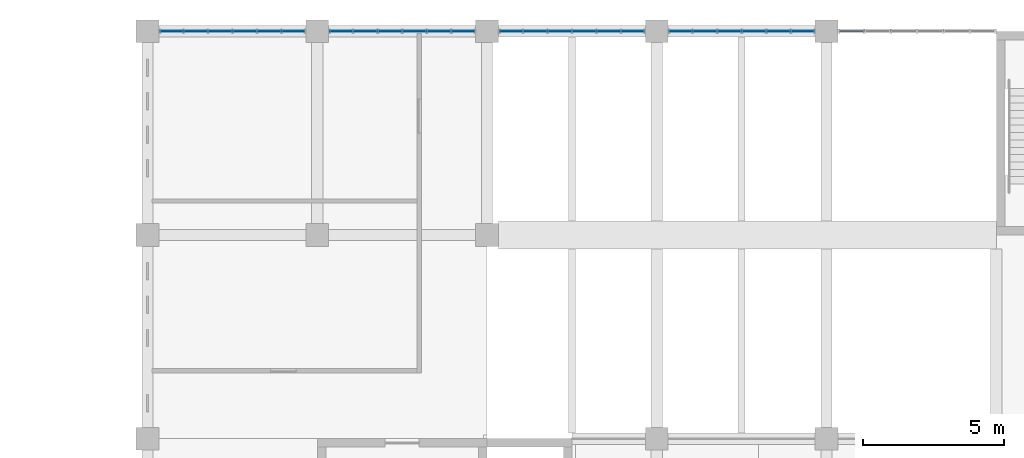
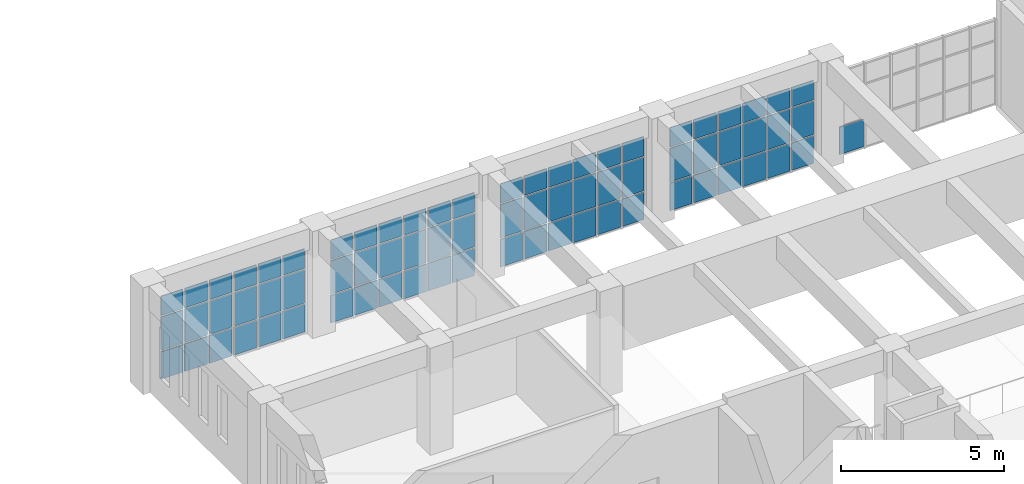
# One storey, part 28 of 47: 73 plates, 5 elements without a shape of their own.
"""IFC4 building model written with IfcOpenShell, lengths in metres."""

from ifc_helpers import new_model, si_unit, direction, frame, origin, origin_2d, place, context, subcontext, project, spatial, rectangle, extrude, material, layer, layer_set, type_object, element, aggregate, save


model = new_model("IFC4")

# Units and contexts
model_context = context("Model", 3, precision=1e-05, world=origin(), true_north=direction((0.0, 1.0)))
body_context = subcontext(model_context, "Body", "Model", "MODEL_VIEW")
ifc_project = project(units=[si_unit("LENGTHUNIT", "METRE"), si_unit("AREAUNIT", "SQUARE_METRE"), si_unit("VOLUMEUNIT", "CUBIC_METRE"), si_unit("PLANEANGLEUNIT", "RADIAN"), si_unit("MASSUNIT", "GRAM", prefix="KILO")], contexts=[model_context])

# Site, building, storey
site_placement = place(None, origin())
site = spatial("IfcSite", under=ifc_project, at=site_placement, CompositionType="ELEMENT")
building_placement = place(site_placement, origin())
building = spatial("IfcBuilding", under=site, at=building_placement, Name="Laocheng Heights Fire and Rescue Headquarters", CompositionType="ELEMENT")
storey_placement = place(building_placement, frame((0.0, 0.0, 16.800048828125)))
storey = spatial("IfcBuildingStorey", under=building, at=storey_placement, Name="L04", CompositionType="ELEMENT", Elevation=16.800048828125)

# Curtain wall, plates
ifc_material_1 = material(Name="Dark anodised aluminium unitised curtain wall, low-e double glazing", Category="aluminium")
curtain_wall_type_1 = type_object("IfcCurtainWallType", Name="CW 5200 x 3200 HQ CONTROL ROOM FACE", PredefinedType="NOTDEFINED", material=ifc_material_1)
curtain_wall_1_placement = place(storey_placement, origin())
curtain_wall_1 = element("IfcCurtainWall", 1, at=curtain_wall_1_placement, inside=storey, type_object=curtain_wall_type_1, Name="X24-X HQ NORTH L04", PredefinedType="NOTDEFINED")
ifc_material_2 = material(Name="Laminated safety glass, low-e double glazed unit", Category="glass")
ifc_layer_1 = layer(ifc_material_2, 0.0400390625)
ifc_layer_set_1 = layer_set([ifc_layer_1], Name="Laminated safety glass, low-e double glazed unit")
plate_type_1 = type_object("IfcPlateType", Name="CW LAMINATED SAFETY PANEL 40 X", PredefinedType="CURTAIN_PANEL", material=ifc_layer_set_1)
plate_1_placement = place(storey_placement, frame((36.848388671875, 72.0, 0.050048828125), z_axis=(0.0, 0.0, 1.0), x_axis=(1.0, 0.0, 0.0)))
plate_1 = element("IfcPlate", 2, at=plate_1_placement, type_object=plate_type_1, Name="X24-X panel 1.1", PredefinedType="CURTAIN_PANEL", context=body_context, shape_type="SweptSolid", body=[
    extrude(rectangle(XDim=0.776611328125, YDim=0.0400390625, at=origin_2d()), origin(), (0.0, 0.0, 1.0), 1.02490234375),
])
plate_2_placement = place(storey_placement, frame((37.699951171875, 72.0, 0.050048828125), z_axis=(0.0, 0.0, 1.0), x_axis=(1.0, 0.0, 0.0)))
plate_2 = element("IfcPlate", 3, at=plate_2_placement, type_object=plate_type_1, Name="X24-X panel 2.1", PredefinedType="CURTAIN_PANEL", context=body_context, shape_type="SweptSolid", body=[
    extrude(rectangle(XDim=0.806640625, YDim=0.0400390625, at=origin_2d()), origin(), (0.0, 0.0, 1.0), 1.02490234375),
])
plate_3_placement = place(storey_placement, frame((38.566650390625, 72.0, 0.050048828125), z_axis=(0.0, 0.0, 1.0), x_axis=(1.0, 0.0, 0.0)))
plate_3 = element("IfcPlate", 4, at=plate_3_placement, type_object=plate_type_1, Name="X24-X panel 3.1", PredefinedType="CURTAIN_PANEL", context=body_context, shape_type="SweptSolid", body=[
    extrude(rectangle(XDim=0.806640625, YDim=0.0400390625, at=origin_2d()), origin(), (0.0, 0.0, 1.0), 1.02490234375),
])
plate_4_placement = place(storey_placement, frame((39.433349609375, 72.0, 0.050048828125), z_axis=(0.0, 0.0, 1.0), x_axis=(1.0, 0.0, 0.0)))
plate_4 = element("IfcPlate", 5, at=plate_4_placement, type_object=plate_type_1, Name="X24-X panel 4.1", PredefinedType="CURTAIN_PANEL", context=body_context, shape_type="SweptSolid", body=[
    extrude(rectangle(XDim=0.806640625, YDim=0.0400390625, at=origin_2d()), origin(), (0.0, 0.0, 1.0), 1.02490234375),
])
plate_5_placement = place(storey_placement, frame((40.300048828125, 72.0, 0.050048828125), z_axis=(0.0, 0.0, 1.0), x_axis=(1.0, 0.0, 0.0)))
plate_5 = element("IfcPlate", 6, at=plate_5_placement, type_object=plate_type_1, Name="X24-X panel 5.1", PredefinedType="CURTAIN_PANEL", context=body_context, shape_type="SweptSolid", body=[
    extrude(rectangle(XDim=0.806640625, YDim=0.0400390625, at=origin_2d()), origin(), (0.0, 0.0, 1.0), 1.02490234375),
])
plate_6_placement = place(storey_placement, frame((41.151611328125, 72.0, 0.050048828125), z_axis=(0.0, 0.0, 1.0), x_axis=(1.0, 0.0, 0.0)))
plate_6 = element("IfcPlate", 7, at=plate_6_placement, type_object=plate_type_1, Name="X24-X panel 6.1", PredefinedType="CURTAIN_PANEL", context=body_context, shape_type="SweptSolid", body=[
    extrude(rectangle(XDim=0.776611328125, YDim=0.0400390625, at=origin_2d()), origin(), (0.0, 0.0, 1.0), 1.02490234375),
])

curtain_wall_2_placement = place(storey_placement, origin())
curtain_wall_2 = element("IfcCurtainWall", 8, at=curtain_wall_2_placement, inside=storey, type_object=curtain_wall_type_1, Name="X24-X HQ NORTH L04", PredefinedType="NOTDEFINED")
plate_7_placement = place(storey_placement, frame((42.848388671875, 72.0, 0.050048828125), z_axis=(0.0, 0.0, 1.0), x_axis=(1.0, 0.0, 0.0)))
plate_7 = element("IfcPlate", 9, at=plate_7_placement, type_object=plate_type_1, Name="X24-X panel 1.1", PredefinedType="CURTAIN_PANEL", context=body_context, shape_type="SweptSolid", body=[
    extrude(rectangle(XDim=0.776611328125, YDim=0.0400390625, at=origin_2d()), origin(), (0.0, 0.0, 1.0), 1.02490234375),
])
plate_8_placement = place(storey_placement, frame((43.699951171875, 72.0, 0.050048828125), z_axis=(0.0, 0.0, 1.0), x_axis=(1.0, 0.0, 0.0)))
plate_8 = element("IfcPlate", 10, at=plate_8_placement, type_object=plate_type_1, Name="X24-X panel 2.1", PredefinedType="CURTAIN_PANEL", context=body_context, shape_type="SweptSolid", body=[
    extrude(rectangle(XDim=0.806640625, YDim=0.0400390625, at=origin_2d()), origin(), (0.0, 0.0, 1.0), 1.02490234375),
])
plate_9_placement = place(storey_placement, frame((44.566650390625, 72.0, 0.050048828125), z_axis=(0.0, 0.0, 1.0), x_axis=(1.0, 0.0, 0.0)))
plate_9 = element("IfcPlate", 11, at=plate_9_placement, type_object=plate_type_1, Name="X24-X panel 3.1", PredefinedType="CURTAIN_PANEL", context=body_context, shape_type="SweptSolid", body=[
    extrude(rectangle(XDim=0.806640625, YDim=0.0400390625, at=origin_2d()), origin(), (0.0, 0.0, 1.0), 1.02490234375),
])
plate_10_placement = place(storey_placement, frame((45.433349609375, 72.0, 0.050048828125), z_axis=(0.0, 0.0, 1.0), x_axis=(1.0, 0.0, 0.0)))
plate_10 = element("IfcPlate", 12, at=plate_10_placement, type_object=plate_type_1, Name="X24-X panel 4.1", PredefinedType="CURTAIN_PANEL", context=body_context, shape_type="SweptSolid", body=[
    extrude(rectangle(XDim=0.806640625, YDim=0.0400390625, at=origin_2d()), origin(), (0.0, 0.0, 1.0), 1.02490234375),
])
plate_11_placement = place(storey_placement, frame((46.300048828125, 72.0, 0.050048828125), z_axis=(0.0, 0.0, 1.0), x_axis=(1.0, 0.0, 0.0)))
plate_11 = element("IfcPlate", 13, at=plate_11_placement, type_object=plate_type_1, Name="X24-X panel 5.1", PredefinedType="CURTAIN_PANEL", context=body_context, shape_type="SweptSolid", body=[
    extrude(rectangle(XDim=0.806640625, YDim=0.0400390625, at=origin_2d()), origin(), (0.0, 0.0, 1.0), 1.02490234375),
])
plate_12_placement = place(storey_placement, frame((47.151611328125, 72.0, 0.050048828125), z_axis=(0.0, 0.0, 1.0), x_axis=(1.0, 0.0, 0.0)))
plate_12 = element("IfcPlate", 14, at=plate_12_placement, type_object=plate_type_1, Name="X24-X panel 6.1", PredefinedType="CURTAIN_PANEL", context=body_context, shape_type="SweptSolid", body=[
    extrude(rectangle(XDim=0.776611328125, YDim=0.0400390625, at=origin_2d()), origin(), (0.0, 0.0, 1.0), 1.02490234375),
])

curtain_wall_3_placement = place(storey_placement, origin())
curtain_wall_3 = element("IfcCurtainWall", 15, at=curtain_wall_3_placement, inside=storey, type_object=curtain_wall_type_1, Name="X24-X HQ NORTH L04", PredefinedType="NOTDEFINED")
plate_13_placement = place(storey_placement, frame((48.848388671875, 72.0, 0.050048828125), z_axis=(0.0, 0.0, 1.0), x_axis=(1.0, 0.0, 0.0)))
plate_13 = element("IfcPlate", 16, at=plate_13_placement, type_object=plate_type_1, Name="X24-X panel 1.1", PredefinedType="CURTAIN_PANEL", context=body_context, shape_type="SweptSolid", body=[
    extrude(rectangle(XDim=0.776611328125, YDim=0.0400390625, at=origin_2d()), origin(), (0.0, 0.0, 1.0), 1.02490234375),
])
plate_14_placement = place(storey_placement, frame((49.699951171875, 72.0, 0.050048828125), z_axis=(0.0, 0.0, 1.0), x_axis=(1.0, 0.0, 0.0)))
plate_14 = element("IfcPlate", 17, at=plate_14_placement, type_object=plate_type_1, Name="X24-X panel 2.1", PredefinedType="CURTAIN_PANEL", context=body_context, shape_type="SweptSolid", body=[
    extrude(rectangle(XDim=0.806640625, YDim=0.0400390625, at=origin_2d()), origin(), (0.0, 0.0, 1.0), 1.02490234375),
])
plate_15_placement = place(storey_placement, frame((50.566650390625, 72.0, 0.050048828125), z_axis=(0.0, 0.0, 1.0), x_axis=(1.0, 0.0, 0.0)))
plate_15 = element("IfcPlate", 18, at=plate_15_placement, type_object=plate_type_1, Name="X24-X panel 3.1", PredefinedType="CURTAIN_PANEL", context=body_context, shape_type="SweptSolid", body=[
    extrude(rectangle(XDim=0.806640625, YDim=0.0400390625, at=origin_2d()), origin(), (0.0, 0.0, 1.0), 1.02490234375),
])
plate_16_placement = place(storey_placement, frame((51.433349609375, 72.0, 0.050048828125), z_axis=(0.0, 0.0, 1.0), x_axis=(1.0, 0.0, 0.0)))
plate_16 = element("IfcPlate", 19, at=plate_16_placement, type_object=plate_type_1, Name="X24-X panel 4.1", PredefinedType="CURTAIN_PANEL", context=body_context, shape_type="SweptSolid", body=[
    extrude(rectangle(XDim=0.806640625, YDim=0.0400390625, at=origin_2d()), origin(), (0.0, 0.0, 1.0), 1.02490234375),
])
plate_17_placement = place(storey_placement, frame((52.300048828125, 72.0, 0.050048828125), z_axis=(0.0, 0.0, 1.0), x_axis=(1.0, 0.0, 0.0)))
plate_17 = element("IfcPlate", 20, at=plate_17_placement, type_object=plate_type_1, Name="X24-X panel 5.1", PredefinedType="CURTAIN_PANEL", context=body_context, shape_type="SweptSolid", body=[
    extrude(rectangle(XDim=0.806640625, YDim=0.0400390625, at=origin_2d()), origin(), (0.0, 0.0, 1.0), 1.02490234375),
])
plate_18_placement = place(storey_placement, frame((53.151611328125, 72.0, 0.050048828125), z_axis=(0.0, 0.0, 1.0), x_axis=(1.0, 0.0, 0.0)))
plate_18 = element("IfcPlate", 21, at=plate_18_placement, type_object=plate_type_1, Name="X24-X panel 6.1", PredefinedType="CURTAIN_PANEL", context=body_context, shape_type="SweptSolid", body=[
    extrude(rectangle(XDim=0.776611328125, YDim=0.0400390625, at=origin_2d()), origin(), (0.0, 0.0, 1.0), 1.02490234375),
])

curtain_wall_4_placement = place(storey_placement, origin())
curtain_wall_4 = element("IfcCurtainWall", 22, at=curtain_wall_4_placement, inside=storey, type_object=curtain_wall_type_1, Name="X24-X HQ NORTH L04", PredefinedType="NOTDEFINED")
plate_19_placement = place(storey_placement, frame((54.848388671875, 72.0, 0.050048828125), z_axis=(0.0, 0.0, 1.0), x_axis=(1.0, 0.0, 0.0)))
plate_19 = element("IfcPlate", 23, at=plate_19_placement, type_object=plate_type_1, Name="X24-X panel 1.1", PredefinedType="CURTAIN_PANEL", context=body_context, shape_type="SweptSolid", body=[
    extrude(rectangle(XDim=0.776611328125, YDim=0.0400390625, at=origin_2d()), origin(), (0.0, 0.0, 1.0), 1.02490234375),
])
plate_20_placement = place(storey_placement, frame((55.699951171875, 72.0, 0.050048828125), z_axis=(0.0, 0.0, 1.0), x_axis=(1.0, 0.0, 0.0)))
plate_20 = element("IfcPlate", 24, at=plate_20_placement, type_object=plate_type_1, Name="X24-X panel 2.1", PredefinedType="CURTAIN_PANEL", context=body_context, shape_type="SweptSolid", body=[
    extrude(rectangle(XDim=0.806640625, YDim=0.0400390625, at=origin_2d()), origin(), (0.0, 0.0, 1.0), 1.02490234375),
])
plate_21_placement = place(storey_placement, frame((56.566650390625, 72.0, 0.050048828125), z_axis=(0.0, 0.0, 1.0), x_axis=(1.0, 0.0, 0.0)))
plate_21 = element("IfcPlate", 25, at=plate_21_placement, type_object=plate_type_1, Name="X24-X panel 3.1", PredefinedType="CURTAIN_PANEL", context=body_context, shape_type="SweptSolid", body=[
    extrude(rectangle(XDim=0.806640625, YDim=0.0400390625, at=origin_2d()), origin(), (0.0, 0.0, 1.0), 1.02490234375),
])
plate_22_placement = place(storey_placement, frame((57.433349609375, 72.0, 0.050048828125), z_axis=(0.0, 0.0, 1.0), x_axis=(1.0, 0.0, 0.0)))
plate_22 = element("IfcPlate", 26, at=plate_22_placement, type_object=plate_type_1, Name="X24-X panel 4.1", PredefinedType="CURTAIN_PANEL", context=body_context, shape_type="SweptSolid", body=[
    extrude(rectangle(XDim=0.806640625, YDim=0.0400390625, at=origin_2d()), origin(), (0.0, 0.0, 1.0), 1.02490234375),
])
plate_23_placement = place(storey_placement, frame((58.300048828125, 72.0, 0.050048828125), z_axis=(0.0, 0.0, 1.0), x_axis=(1.0, 0.0, 0.0)))
plate_23 = element("IfcPlate", 27, at=plate_23_placement, type_object=plate_type_1, Name="X24-X panel 5.1", PredefinedType="CURTAIN_PANEL", context=body_context, shape_type="SweptSolid", body=[
    extrude(rectangle(XDim=0.806640625, YDim=0.0400390625, at=origin_2d()), origin(), (0.0, 0.0, 1.0), 1.02490234375),
])
plate_24_placement = place(storey_placement, frame((59.151611328125, 72.0, 0.050048828125), z_axis=(0.0, 0.0, 1.0), x_axis=(1.0, 0.0, 0.0)))
plate_24 = element("IfcPlate", 28, at=plate_24_placement, type_object=plate_type_1, Name="X24-X panel 6.1", PredefinedType="CURTAIN_PANEL", context=body_context, shape_type="SweptSolid", body=[
    extrude(rectangle(XDim=0.776611328125, YDim=0.0400390625, at=origin_2d()), origin(), (0.0, 0.0, 1.0), 1.02490234375),
])

# Curtain wall, plate
ifc_material_3 = material(Name="Dark anodised aluminium unitised curtain wall, low-e double glazing", Category="aluminium")
curtain_wall_type_2 = type_object("IfcCurtainWallType", Name="CW 5600 x 3200 HQ CONTROL ROOM FACE", PredefinedType="NOTDEFINED", material=ifc_material_3)
curtain_wall_5_placement = place(storey_placement, origin())
curtain_wall_5 = element("IfcCurtainWall", 29, at=curtain_wall_5_placement, inside=storey, type_object=curtain_wall_type_2, Name="X25-X HQ NORTH L04", PredefinedType="NOTDEFINED")
plate_25_placement = place(storey_placement, frame((60.881591796875, 72.0, 0.050048828125), z_axis=(0.0, 0.0, 1.0), x_axis=(1.0, 0.0, 0.0)))
plate_25 = element("IfcPlate", 30, at=plate_25_placement, type_object=plate_type_1, Name="X25-X panel 1.1", PredefinedType="CURTAIN_PANEL", context=body_context, shape_type="SweptSolid", body=[
    extrude(rectangle(XDim=0.84326171875, YDim=0.0400390625, at=origin_2d()), origin(), (0.0, 0.0, 1.0), 1.02490234375),
])
aggregate(curtain_wall_5, [plate_25])

# Plate
ifc_material_4 = material(Name="Low-e double glazed unit, laminated inner pane")
ifc_layer_2 = layer(ifc_material_4, 0.028076171875)
ifc_layer_set_2 = layer_set([ifc_layer_2], Name="Low-e double glazed unit, laminated inner pane")
plate_type_2 = type_object("IfcPlateType", Name="CW VISION PANEL 28 X", PredefinedType="CURTAIN_PANEL", material=ifc_layer_set_2)
plate_26_placement = place(storey_placement, frame((36.848388671875, 72.0, 1.125), z_axis=(0.0, 0.0, 1.0), x_axis=(1.0, 0.0, 0.0)))
plate_26 = element("IfcPlate", 31, at=plate_26_placement, type_object=plate_type_2, Name="X24-X panel 1.2", PredefinedType="CURTAIN_PANEL", context=body_context, shape_type="SweptSolid", body=[
    extrude(rectangle(XDim=0.776611328125, YDim=0.028076171875, at=origin_2d()), origin(), (0.0, 0.0, 1.0), 1.25),
])

plate_27_placement = place(storey_placement, frame((36.848388671875, 72.0, 2.4248046875), z_axis=(0.0, 0.0, 1.0), x_axis=(1.0, 0.0, 0.0)))
plate_27 = element("IfcPlate", 32, at=plate_27_placement, type_object=plate_type_2, Name="X24-X panel 1.3", PredefinedType="CURTAIN_PANEL", context=body_context, shape_type="SweptSolid", body=[
    extrude(rectangle(XDim=0.776611328125, YDim=0.028076171875, at=origin_2d()), origin(), (0.0, 0.0, 1.0), 0.72509765625),
])

plate_28_placement = place(storey_placement, frame((37.699951171875, 72.0, 1.125), z_axis=(0.0, 0.0, 1.0), x_axis=(1.0, 0.0, 0.0)))
plate_28 = element("IfcPlate", 33, at=plate_28_placement, type_object=plate_type_2, Name="X24-X panel 2.2", PredefinedType="CURTAIN_PANEL", context=body_context, shape_type="SweptSolid", body=[
    extrude(rectangle(XDim=0.806640625, YDim=0.028076171875, at=origin_2d()), origin(), (0.0, 0.0, 1.0), 1.25),
])

plate_29_placement = place(storey_placement, frame((37.699951171875, 72.0, 2.4248046875), z_axis=(0.0, 0.0, 1.0), x_axis=(1.0, 0.0, 0.0)))
plate_29 = element("IfcPlate", 34, at=plate_29_placement, type_object=plate_type_2, Name="X24-X panel 2.3", PredefinedType="CURTAIN_PANEL", context=body_context, shape_type="SweptSolid", body=[
    extrude(rectangle(XDim=0.806640625, YDim=0.028076171875, at=origin_2d()), origin(), (0.0, 0.0, 1.0), 0.72509765625),
])

plate_30_placement = place(storey_placement, frame((38.566650390625, 72.0, 1.125), z_axis=(0.0, 0.0, 1.0), x_axis=(1.0, 0.0, 0.0)))
plate_30 = element("IfcPlate", 35, at=plate_30_placement, type_object=plate_type_2, Name="X24-X panel 3.2", PredefinedType="CURTAIN_PANEL", context=body_context, shape_type="SweptSolid", body=[
    extrude(rectangle(XDim=0.806640625, YDim=0.028076171875, at=origin_2d()), origin(), (0.0, 0.0, 1.0), 1.25),
])

plate_31_placement = place(storey_placement, frame((38.566650390625, 72.0, 2.4248046875), z_axis=(0.0, 0.0, 1.0), x_axis=(1.0, 0.0, 0.0)))
plate_31 = element("IfcPlate", 36, at=plate_31_placement, type_object=plate_type_2, Name="X24-X panel 3.3", PredefinedType="CURTAIN_PANEL", context=body_context, shape_type="SweptSolid", body=[
    extrude(rectangle(XDim=0.806640625, YDim=0.028076171875, at=origin_2d()), origin(), (0.0, 0.0, 1.0), 0.72509765625),
])

plate_32_placement = place(storey_placement, frame((39.433349609375, 72.0, 1.125), z_axis=(0.0, 0.0, 1.0), x_axis=(1.0, 0.0, 0.0)))
plate_32 = element("IfcPlate", 37, at=plate_32_placement, type_object=plate_type_2, Name="X24-X panel 4.2", PredefinedType="CURTAIN_PANEL", context=body_context, shape_type="SweptSolid", body=[
    extrude(rectangle(XDim=0.806640625, YDim=0.028076171875, at=origin_2d()), origin(), (0.0, 0.0, 1.0), 1.25),
])

plate_33_placement = place(storey_placement, frame((39.433349609375, 72.0, 2.4248046875), z_axis=(0.0, 0.0, 1.0), x_axis=(1.0, 0.0, 0.0)))
plate_33 = element("IfcPlate", 38, at=plate_33_placement, type_object=plate_type_2, Name="X24-X panel 4.3", PredefinedType="CURTAIN_PANEL", context=body_context, shape_type="SweptSolid", body=[
    extrude(rectangle(XDim=0.806640625, YDim=0.028076171875, at=origin_2d()), origin(), (0.0, 0.0, 1.0), 0.72509765625),
])

plate_34_placement = place(storey_placement, frame((40.300048828125, 72.0, 1.125), z_axis=(0.0, 0.0, 1.0), x_axis=(1.0, 0.0, 0.0)))
plate_34 = element("IfcPlate", 39, at=plate_34_placement, type_object=plate_type_2, Name="X24-X panel 5.2", PredefinedType="CURTAIN_PANEL", context=body_context, shape_type="SweptSolid", body=[
    extrude(rectangle(XDim=0.806640625, YDim=0.028076171875, at=origin_2d()), origin(), (0.0, 0.0, 1.0), 1.25),
])

plate_35_placement = place(storey_placement, frame((40.300048828125, 72.0, 2.4248046875), z_axis=(0.0, 0.0, 1.0), x_axis=(1.0, 0.0, 0.0)))
plate_35 = element("IfcPlate", 40, at=plate_35_placement, type_object=plate_type_2, Name="X24-X panel 5.3", PredefinedType="CURTAIN_PANEL", context=body_context, shape_type="SweptSolid", body=[
    extrude(rectangle(XDim=0.806640625, YDim=0.028076171875, at=origin_2d()), origin(), (0.0, 0.0, 1.0), 0.72509765625),
])

plate_36_placement = place(storey_placement, frame((41.151611328125, 72.0, 1.125), z_axis=(0.0, 0.0, 1.0), x_axis=(1.0, 0.0, 0.0)))
plate_36 = element("IfcPlate", 41, at=plate_36_placement, type_object=plate_type_2, Name="X24-X panel 6.2", PredefinedType="CURTAIN_PANEL", context=body_context, shape_type="SweptSolid", body=[
    extrude(rectangle(XDim=0.776611328125, YDim=0.028076171875, at=origin_2d()), origin(), (0.0, 0.0, 1.0), 1.25),
])

plate_37_placement = place(storey_placement, frame((41.151611328125, 72.0, 2.4248046875), z_axis=(0.0, 0.0, 1.0), x_axis=(1.0, 0.0, 0.0)))
plate_37 = element("IfcPlate", 42, at=plate_37_placement, type_object=plate_type_2, Name="X24-X panel 6.3", PredefinedType="CURTAIN_PANEL", context=body_context, shape_type="SweptSolid", body=[
    extrude(rectangle(XDim=0.776611328125, YDim=0.028076171875, at=origin_2d()), origin(), (0.0, 0.0, 1.0), 0.72509765625),
])

aggregate(curtain_wall_1, [plate_1, plate_26, plate_27, plate_2, plate_28, plate_29, plate_3, plate_30, plate_31, plate_4, plate_32, plate_33, plate_5, plate_34, plate_35, plate_6, plate_36, plate_37])

plate_38_placement = place(storey_placement, frame((42.848388671875, 72.0, 1.125), z_axis=(0.0, 0.0, 1.0), x_axis=(1.0, 0.0, 0.0)))
plate_38 = element("IfcPlate", 43, at=plate_38_placement, type_object=plate_type_2, Name="X24-X panel 1.2", PredefinedType="CURTAIN_PANEL", context=body_context, shape_type="SweptSolid", body=[
    extrude(rectangle(XDim=0.776611328125, YDim=0.028076171875, at=origin_2d()), origin(), (0.0, 0.0, 1.0), 1.25),
])

plate_39_placement = place(storey_placement, frame((42.848388671875, 72.0, 2.4248046875), z_axis=(0.0, 0.0, 1.0), x_axis=(1.0, 0.0, 0.0)))
plate_39 = element("IfcPlate", 44, at=plate_39_placement, type_object=plate_type_2, Name="X24-X panel 1.3", PredefinedType="CURTAIN_PANEL", context=body_context, shape_type="SweptSolid", body=[
    extrude(rectangle(XDim=0.776611328125, YDim=0.028076171875, at=origin_2d()), origin(), (0.0, 0.0, 1.0), 0.72509765625),
])

plate_40_placement = place(storey_placement, frame((43.699951171875, 72.0, 1.125), z_axis=(0.0, 0.0, 1.0), x_axis=(1.0, 0.0, 0.0)))
plate_40 = element("IfcPlate", 45, at=plate_40_placement, type_object=plate_type_2, Name="X24-X panel 2.2", PredefinedType="CURTAIN_PANEL", context=body_context, shape_type="SweptSolid", body=[
    extrude(rectangle(XDim=0.806640625, YDim=0.028076171875, at=origin_2d()), origin(), (0.0, 0.0, 1.0), 1.25),
])

plate_41_placement = place(storey_placement, frame((43.699951171875, 72.0, 2.4248046875), z_axis=(0.0, 0.0, 1.0), x_axis=(1.0, 0.0, 0.0)))
plate_41 = element("IfcPlate", 46, at=plate_41_placement, type_object=plate_type_2, Name="X24-X panel 2.3", PredefinedType="CURTAIN_PANEL", context=body_context, shape_type="SweptSolid", body=[
    extrude(rectangle(XDim=0.806640625, YDim=0.028076171875, at=origin_2d()), origin(), (0.0, 0.0, 1.0), 0.72509765625),
])

plate_42_placement = place(storey_placement, frame((44.566650390625, 72.0, 1.125), z_axis=(0.0, 0.0, 1.0), x_axis=(1.0, 0.0, 0.0)))
plate_42 = element("IfcPlate", 47, at=plate_42_placement, type_object=plate_type_2, Name="X24-X panel 3.2", PredefinedType="CURTAIN_PANEL", context=body_context, shape_type="SweptSolid", body=[
    extrude(rectangle(XDim=0.806640625, YDim=0.028076171875, at=origin_2d()), origin(), (0.0, 0.0, 1.0), 1.25),
])

plate_43_placement = place(storey_placement, frame((44.566650390625, 72.0, 2.4248046875), z_axis=(0.0, 0.0, 1.0), x_axis=(1.0, 0.0, 0.0)))
plate_43 = element("IfcPlate", 48, at=plate_43_placement, type_object=plate_type_2, Name="X24-X panel 3.3", PredefinedType="CURTAIN_PANEL", context=body_context, shape_type="SweptSolid", body=[
    extrude(rectangle(XDim=0.806640625, YDim=0.028076171875, at=origin_2d()), origin(), (0.0, 0.0, 1.0), 0.72509765625),
])

plate_44_placement = place(storey_placement, frame((45.433349609375, 72.0, 1.125), z_axis=(0.0, 0.0, 1.0), x_axis=(1.0, 0.0, 0.0)))
plate_44 = element("IfcPlate", 49, at=plate_44_placement, type_object=plate_type_2, Name="X24-X panel 4.2", PredefinedType="CURTAIN_PANEL", context=body_context, shape_type="SweptSolid", body=[
    extrude(rectangle(XDim=0.806640625, YDim=0.028076171875, at=origin_2d()), origin(), (0.0, 0.0, 1.0), 1.25),
])

plate_45_placement = place(storey_placement, frame((45.433349609375, 72.0, 2.4248046875), z_axis=(0.0, 0.0, 1.0), x_axis=(1.0, 0.0, 0.0)))
plate_45 = element("IfcPlate", 50, at=plate_45_placement, type_object=plate_type_2, Name="X24-X panel 4.3", PredefinedType="CURTAIN_PANEL", context=body_context, shape_type="SweptSolid", body=[
    extrude(rectangle(XDim=0.806640625, YDim=0.028076171875, at=origin_2d()), origin(), (0.0, 0.0, 1.0), 0.72509765625),
])

plate_46_placement = place(storey_placement, frame((46.300048828125, 72.0, 1.125), z_axis=(0.0, 0.0, 1.0), x_axis=(1.0, 0.0, 0.0)))
plate_46 = element("IfcPlate", 51, at=plate_46_placement, type_object=plate_type_2, Name="X24-X panel 5.2", PredefinedType="CURTAIN_PANEL", context=body_context, shape_type="SweptSolid", body=[
    extrude(rectangle(XDim=0.806640625, YDim=0.028076171875, at=origin_2d()), origin(), (0.0, 0.0, 1.0), 1.25),
])

plate_47_placement = place(storey_placement, frame((46.300048828125, 72.0, 2.4248046875), z_axis=(0.0, 0.0, 1.0), x_axis=(1.0, 0.0, 0.0)))
plate_47 = element("IfcPlate", 52, at=plate_47_placement, type_object=plate_type_2, Name="X24-X panel 5.3", PredefinedType="CURTAIN_PANEL", context=body_context, shape_type="SweptSolid", body=[
    extrude(rectangle(XDim=0.806640625, YDim=0.028076171875, at=origin_2d()), origin(), (0.0, 0.0, 1.0), 0.72509765625),
])

plate_48_placement = place(storey_placement, frame((47.151611328125, 72.0, 1.125), z_axis=(0.0, 0.0, 1.0), x_axis=(1.0, 0.0, 0.0)))
plate_48 = element("IfcPlate", 53, at=plate_48_placement, type_object=plate_type_2, Name="X24-X panel 6.2", PredefinedType="CURTAIN_PANEL", context=body_context, shape_type="SweptSolid", body=[
    extrude(rectangle(XDim=0.776611328125, YDim=0.028076171875, at=origin_2d()), origin(), (0.0, 0.0, 1.0), 1.25),
])

plate_49_placement = place(storey_placement, frame((47.151611328125, 72.0, 2.4248046875), z_axis=(0.0, 0.0, 1.0), x_axis=(1.0, 0.0, 0.0)))
plate_49 = element("IfcPlate", 54, at=plate_49_placement, type_object=plate_type_2, Name="X24-X panel 6.3", PredefinedType="CURTAIN_PANEL", context=body_context, shape_type="SweptSolid", body=[
    extrude(rectangle(XDim=0.776611328125, YDim=0.028076171875, at=origin_2d()), origin(), (0.0, 0.0, 1.0), 0.72509765625),
])

aggregate(curtain_wall_2, [plate_7, plate_38, plate_39, plate_8, plate_40, plate_41, plate_9, plate_42, plate_43, plate_10, plate_44, plate_45, plate_11, plate_46, plate_47, plate_12, plate_48, plate_49])

plate_50_placement = place(storey_placement, frame((48.848388671875, 72.0, 1.125), z_axis=(0.0, 0.0, 1.0), x_axis=(1.0, 0.0, 0.0)))
plate_50 = element("IfcPlate", 55, at=plate_50_placement, type_object=plate_type_2, Name="X24-X panel 1.2", PredefinedType="CURTAIN_PANEL", context=body_context, shape_type="SweptSolid", body=[
    extrude(rectangle(XDim=0.776611328125, YDim=0.028076171875, at=origin_2d()), origin(), (0.0, 0.0, 1.0), 1.25),
])

plate_51_placement = place(storey_placement, frame((48.848388671875, 72.0, 2.4248046875), z_axis=(0.0, 0.0, 1.0), x_axis=(1.0, 0.0, 0.0)))
plate_51 = element("IfcPlate", 56, at=plate_51_placement, type_object=plate_type_2, Name="X24-X panel 1.3", PredefinedType="CURTAIN_PANEL", context=body_context, shape_type="SweptSolid", body=[
    extrude(rectangle(XDim=0.776611328125, YDim=0.028076171875, at=origin_2d()), origin(), (0.0, 0.0, 1.0), 0.72509765625),
])

plate_52_placement = place(storey_placement, frame((49.699951171875, 72.0, 1.125), z_axis=(0.0, 0.0, 1.0), x_axis=(1.0, 0.0, 0.0)))
plate_52 = element("IfcPlate", 57, at=plate_52_placement, type_object=plate_type_2, Name="X24-X panel 2.2", PredefinedType="CURTAIN_PANEL", context=body_context, shape_type="SweptSolid", body=[
    extrude(rectangle(XDim=0.806640625, YDim=0.028076171875, at=origin_2d()), origin(), (0.0, 0.0, 1.0), 1.25),
])

plate_53_placement = place(storey_placement, frame((49.699951171875, 72.0, 2.4248046875), z_axis=(0.0, 0.0, 1.0), x_axis=(1.0, 0.0, 0.0)))
plate_53 = element("IfcPlate", 58, at=plate_53_placement, type_object=plate_type_2, Name="X24-X panel 2.3", PredefinedType="CURTAIN_PANEL", context=body_context, shape_type="SweptSolid", body=[
    extrude(rectangle(XDim=0.806640625, YDim=0.028076171875, at=origin_2d()), origin(), (0.0, 0.0, 1.0), 0.72509765625),
])

plate_54_placement = place(storey_placement, frame((50.566650390625, 72.0, 1.125), z_axis=(0.0, 0.0, 1.0), x_axis=(1.0, 0.0, 0.0)))
plate_54 = element("IfcPlate", 59, at=plate_54_placement, type_object=plate_type_2, Name="X24-X panel 3.2", PredefinedType="CURTAIN_PANEL", context=body_context, shape_type="SweptSolid", body=[
    extrude(rectangle(XDim=0.806640625, YDim=0.028076171875, at=origin_2d()), origin(), (0.0, 0.0, 1.0), 1.25),
])

plate_55_placement = place(storey_placement, frame((50.566650390625, 72.0, 2.4248046875), z_axis=(0.0, 0.0, 1.0), x_axis=(1.0, 0.0, 0.0)))
plate_55 = element("IfcPlate", 60, at=plate_55_placement, type_object=plate_type_2, Name="X24-X panel 3.3", PredefinedType="CURTAIN_PANEL", context=body_context, shape_type="SweptSolid", body=[
    extrude(rectangle(XDim=0.806640625, YDim=0.028076171875, at=origin_2d()), origin(), (0.0, 0.0, 1.0), 0.72509765625),
])

plate_56_placement = place(storey_placement, frame((51.433349609375, 72.0, 1.125), z_axis=(0.0, 0.0, 1.0), x_axis=(1.0, 0.0, 0.0)))
plate_56 = element("IfcPlate", 61, at=plate_56_placement, type_object=plate_type_2, Name="X24-X panel 4.2", PredefinedType="CURTAIN_PANEL", context=body_context, shape_type="SweptSolid", body=[
    extrude(rectangle(XDim=0.806640625, YDim=0.028076171875, at=origin_2d()), origin(), (0.0, 0.0, 1.0), 1.25),
])

plate_57_placement = place(storey_placement, frame((51.433349609375, 72.0, 2.4248046875), z_axis=(0.0, 0.0, 1.0), x_axis=(1.0, 0.0, 0.0)))
plate_57 = element("IfcPlate", 62, at=plate_57_placement, type_object=plate_type_2, Name="X24-X panel 4.3", PredefinedType="CURTAIN_PANEL", context=body_context, shape_type="SweptSolid", body=[
    extrude(rectangle(XDim=0.806640625, YDim=0.028076171875, at=origin_2d()), origin(), (0.0, 0.0, 1.0), 0.72509765625),
])

plate_58_placement = place(storey_placement, frame((52.300048828125, 72.0, 1.125), z_axis=(0.0, 0.0, 1.0), x_axis=(1.0, 0.0, 0.0)))
plate_58 = element("IfcPlate", 63, at=plate_58_placement, type_object=plate_type_2, Name="X24-X panel 5.2", PredefinedType="CURTAIN_PANEL", context=body_context, shape_type="SweptSolid", body=[
    extrude(rectangle(XDim=0.806640625, YDim=0.028076171875, at=origin_2d()), origin(), (0.0, 0.0, 1.0), 1.25),
])

plate_59_placement = place(storey_placement, frame((52.300048828125, 72.0, 2.4248046875), z_axis=(0.0, 0.0, 1.0), x_axis=(1.0, 0.0, 0.0)))
plate_59 = element("IfcPlate", 64, at=plate_59_placement, type_object=plate_type_2, Name="X24-X panel 5.3", PredefinedType="CURTAIN_PANEL", context=body_context, shape_type="SweptSolid", body=[
    extrude(rectangle(XDim=0.806640625, YDim=0.028076171875, at=origin_2d()), origin(), (0.0, 0.0, 1.0), 0.72509765625),
])

plate_60_placement = place(storey_placement, frame((53.151611328125, 72.0, 1.125), z_axis=(0.0, 0.0, 1.0), x_axis=(1.0, 0.0, 0.0)))
plate_60 = element("IfcPlate", 65, at=plate_60_placement, type_object=plate_type_2, Name="X24-X panel 6.2", PredefinedType="CURTAIN_PANEL", context=body_context, shape_type="SweptSolid", body=[
    extrude(rectangle(XDim=0.776611328125, YDim=0.028076171875, at=origin_2d()), origin(), (0.0, 0.0, 1.0), 1.25),
])

plate_61_placement = place(storey_placement, frame((53.151611328125, 72.0, 2.4248046875), z_axis=(0.0, 0.0, 1.0), x_axis=(1.0, 0.0, 0.0)))
plate_61 = element("IfcPlate", 66, at=plate_61_placement, type_object=plate_type_2, Name="X24-X panel 6.3", PredefinedType="CURTAIN_PANEL", context=body_context, shape_type="SweptSolid", body=[
    extrude(rectangle(XDim=0.776611328125, YDim=0.028076171875, at=origin_2d()), origin(), (0.0, 0.0, 1.0), 0.72509765625),
])

aggregate(curtain_wall_3, [plate_13, plate_50, plate_51, plate_14, plate_52, plate_53, plate_15, plate_54, plate_55, plate_16, plate_56, plate_57, plate_17, plate_58, plate_59, plate_18, plate_60, plate_61])

plate_62_placement = place(storey_placement, frame((54.848388671875, 72.0, 1.125), z_axis=(0.0, 0.0, 1.0), x_axis=(1.0, 0.0, 0.0)))
plate_62 = element("IfcPlate", 67, at=plate_62_placement, type_object=plate_type_2, Name="X24-X panel 1.2", PredefinedType="CURTAIN_PANEL", context=body_context, shape_type="SweptSolid", body=[
    extrude(rectangle(XDim=0.776611328125, YDim=0.028076171875, at=origin_2d()), origin(), (0.0, 0.0, 1.0), 1.25),
])

plate_63_placement = place(storey_placement, frame((54.848388671875, 72.0, 2.4248046875), z_axis=(0.0, 0.0, 1.0), x_axis=(1.0, 0.0, 0.0)))
plate_63 = element("IfcPlate", 68, at=plate_63_placement, type_object=plate_type_2, Name="X24-X panel 1.3", PredefinedType="CURTAIN_PANEL", context=body_context, shape_type="SweptSolid", body=[
    extrude(rectangle(XDim=0.776611328125, YDim=0.028076171875, at=origin_2d()), origin(), (0.0, 0.0, 1.0), 0.72509765625),
])

plate_64_placement = place(storey_placement, frame((55.699951171875, 72.0, 1.125), z_axis=(0.0, 0.0, 1.0), x_axis=(1.0, 0.0, 0.0)))
plate_64 = element("IfcPlate", 69, at=plate_64_placement, type_object=plate_type_2, Name="X24-X panel 2.2", PredefinedType="CURTAIN_PANEL", context=body_context, shape_type="SweptSolid", body=[
    extrude(rectangle(XDim=0.806640625, YDim=0.028076171875, at=origin_2d()), origin(), (0.0, 0.0, 1.0), 1.25),
])

plate_65_placement = place(storey_placement, frame((55.699951171875, 72.0, 2.4248046875), z_axis=(0.0, 0.0, 1.0), x_axis=(1.0, 0.0, 0.0)))
plate_65 = element("IfcPlate", 70, at=plate_65_placement, type_object=plate_type_2, Name="X24-X panel 2.3", PredefinedType="CURTAIN_PANEL", context=body_context, shape_type="SweptSolid", body=[
    extrude(rectangle(XDim=0.806640625, YDim=0.028076171875, at=origin_2d()), origin(), (0.0, 0.0, 1.0), 0.72509765625),
])

plate_66_placement = place(storey_placement, frame((56.566650390625, 72.0, 1.125), z_axis=(0.0, 0.0, 1.0), x_axis=(1.0, 0.0, 0.0)))
plate_66 = element("IfcPlate", 71, at=plate_66_placement, type_object=plate_type_2, Name="X24-X panel 3.2", PredefinedType="CURTAIN_PANEL", context=body_context, shape_type="SweptSolid", body=[
    extrude(rectangle(XDim=0.806640625, YDim=0.028076171875, at=origin_2d()), origin(), (0.0, 0.0, 1.0), 1.25),
])

plate_67_placement = place(storey_placement, frame((56.566650390625, 72.0, 2.4248046875), z_axis=(0.0, 0.0, 1.0), x_axis=(1.0, 0.0, 0.0)))
plate_67 = element("IfcPlate", 72, at=plate_67_placement, type_object=plate_type_2, Name="X24-X panel 3.3", PredefinedType="CURTAIN_PANEL", context=body_context, shape_type="SweptSolid", body=[
    extrude(rectangle(XDim=0.806640625, YDim=0.028076171875, at=origin_2d()), origin(), (0.0, 0.0, 1.0), 0.72509765625),
])

plate_68_placement = place(storey_placement, frame((57.433349609375, 72.0, 1.125), z_axis=(0.0, 0.0, 1.0), x_axis=(1.0, 0.0, 0.0)))
plate_68 = element("IfcPlate", 73, at=plate_68_placement, type_object=plate_type_2, Name="X24-X panel 4.2", PredefinedType="CURTAIN_PANEL", context=body_context, shape_type="SweptSolid", body=[
    extrude(rectangle(XDim=0.806640625, YDim=0.028076171875, at=origin_2d()), origin(), (0.0, 0.0, 1.0), 1.25),
])

plate_69_placement = place(storey_placement, frame((57.433349609375, 72.0, 2.4248046875), z_axis=(0.0, 0.0, 1.0), x_axis=(1.0, 0.0, 0.0)))
plate_69 = element("IfcPlate", 74, at=plate_69_placement, type_object=plate_type_2, Name="X24-X panel 4.3", PredefinedType="CURTAIN_PANEL", context=body_context, shape_type="SweptSolid", body=[
    extrude(rectangle(XDim=0.806640625, YDim=0.028076171875, at=origin_2d()), origin(), (0.0, 0.0, 1.0), 0.72509765625),
])

plate_70_placement = place(storey_placement, frame((58.300048828125, 72.0, 1.125), z_axis=(0.0, 0.0, 1.0), x_axis=(1.0, 0.0, 0.0)))
plate_70 = element("IfcPlate", 75, at=plate_70_placement, type_object=plate_type_2, Name="X24-X panel 5.2", PredefinedType="CURTAIN_PANEL", context=body_context, shape_type="SweptSolid", body=[
    extrude(rectangle(XDim=0.806640625, YDim=0.028076171875, at=origin_2d()), origin(), (0.0, 0.0, 1.0), 1.25),
])

plate_71_placement = place(storey_placement, frame((58.300048828125, 72.0, 2.4248046875), z_axis=(0.0, 0.0, 1.0), x_axis=(1.0, 0.0, 0.0)))
plate_71 = element("IfcPlate", 76, at=plate_71_placement, type_object=plate_type_2, Name="X24-X panel 5.3", PredefinedType="CURTAIN_PANEL", context=body_context, shape_type="SweptSolid", body=[
    extrude(rectangle(XDim=0.806640625, YDim=0.028076171875, at=origin_2d()), origin(), (0.0, 0.0, 1.0), 0.72509765625),
])

plate_72_placement = place(storey_placement, frame((59.151611328125, 72.0, 1.125), z_axis=(0.0, 0.0, 1.0), x_axis=(1.0, 0.0, 0.0)))
plate_72 = element("IfcPlate", 77, at=plate_72_placement, type_object=plate_type_2, Name="X24-X panel 6.2", PredefinedType="CURTAIN_PANEL", context=body_context, shape_type="SweptSolid", body=[
    extrude(rectangle(XDim=0.776611328125, YDim=0.028076171875, at=origin_2d()), origin(), (0.0, 0.0, 1.0), 1.25),
])

plate_73_placement = place(storey_placement, frame((59.151611328125, 72.0, 2.4248046875), z_axis=(0.0, 0.0, 1.0), x_axis=(1.0, 0.0, 0.0)))
plate_73 = element("IfcPlate", 78, at=plate_73_placement, type_object=plate_type_2, Name="X24-X panel 6.3", PredefinedType="CURTAIN_PANEL", context=body_context, shape_type="SweptSolid", body=[
    extrude(rectangle(XDim=0.776611328125, YDim=0.028076171875, at=origin_2d()), origin(), (0.0, 0.0, 1.0), 0.72509765625),
])

aggregate(curtain_wall_4, [plate_19, plate_62, plate_63, plate_20, plate_64, plate_65, plate_21, plate_66, plate_67, plate_22, plate_68, plate_69, plate_23, plate_70, plate_71, plate_24, plate_72, plate_73])

save(model, "model.ifc")
